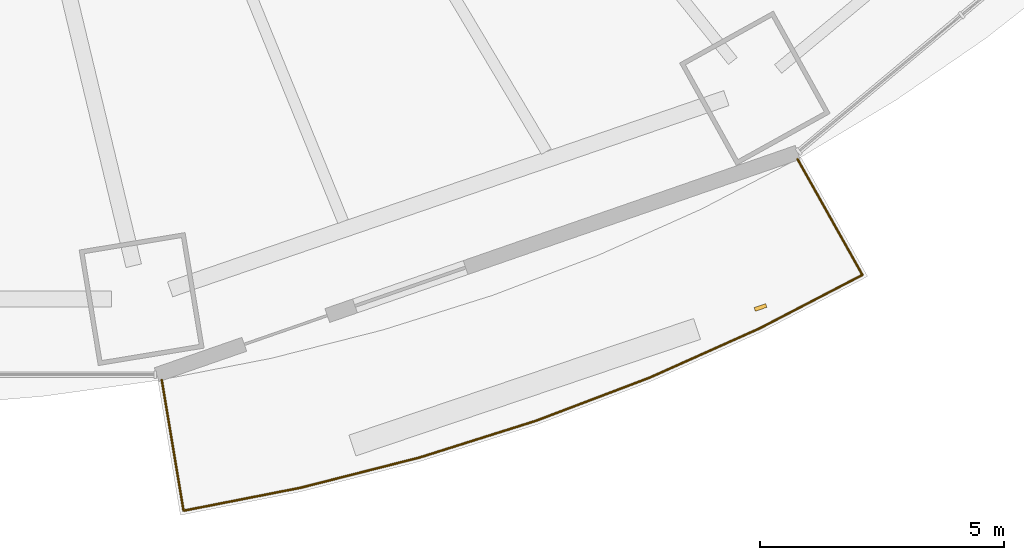
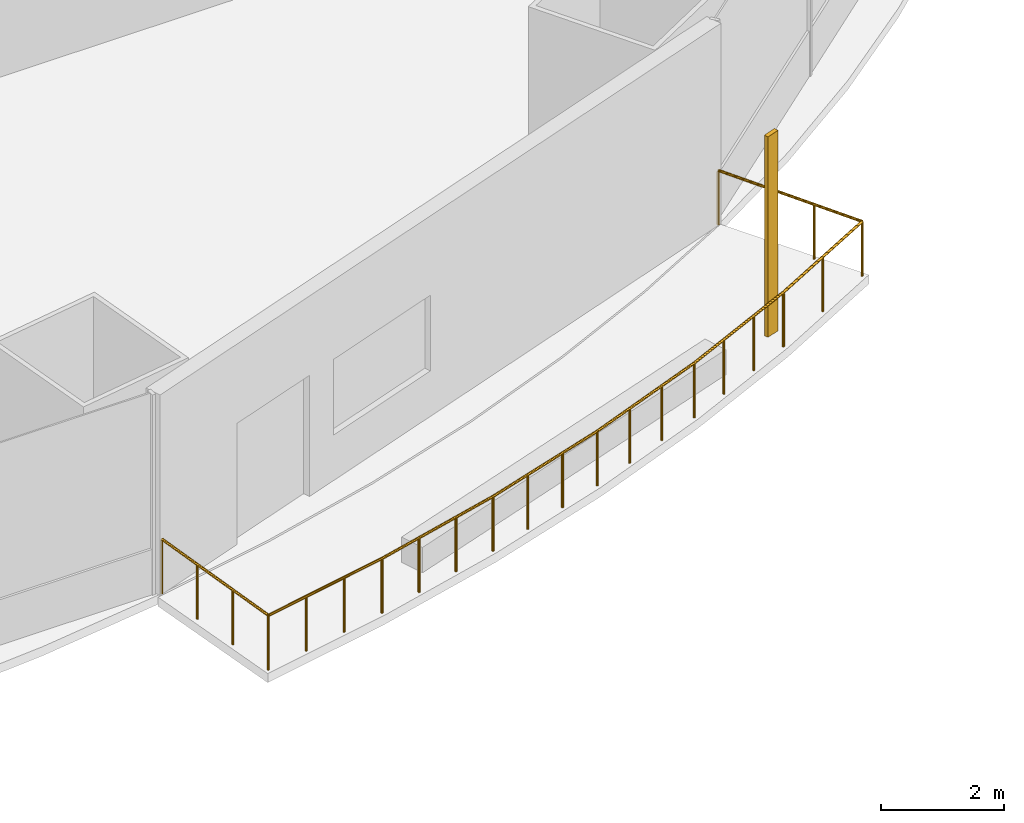
# One storey, part 19 of 23: 1 railing, 1 shading device.
"""IFC4 building model written with IfcOpenShell, lengths in metres."""

from ifc_helpers import new_model, si_unit, direction, frame, origin, origin_2d, place, context, subcontext, project, spatial, rectangle, circle, extrude, material, material_profile, profile_set, type_object, element, save


model = new_model("IFC4")

# Units and contexts
model_context = context("Model", 3, precision=1e-05, world=origin(), true_north=direction((0.0, 1.0)))
body_context = subcontext(model_context, "Body", "Model", "MODEL_VIEW")
ifc_project = project(units=[si_unit("LENGTHUNIT", "METRE"), si_unit("AREAUNIT", "SQUARE_METRE"), si_unit("VOLUMEUNIT", "CUBIC_METRE"), si_unit("PLANEANGLEUNIT", "RADIAN"), si_unit("MASSUNIT", "GRAM", prefix="KILO")], contexts=[model_context])

# Site, building, storey
site_placement = place(None, origin())
site = spatial("IfcSite", under=ifc_project, at=site_placement, CompositionType="ELEMENT")
building_placement = place(site_placement, origin())
building = spatial("IfcBuilding", under=site, at=building_placement, Name="Marenthal Gate Tower", CompositionType="ELEMENT")
storey_placement = place(building_placement, frame((0.0, 0.0, 53.75)))
storey = spatial("IfcBuildingStorey", under=building, at=storey_placement, Name="L09", CompositionType="ELEMENT", Elevation=53.75)

# Railing
ifc_material_1 = material(Name="Stainless steel", Category="steel")
railing_type = type_object("IfcRailingType", Name="Balcony guard 1100", PredefinedType="GUARDRAIL", material=ifc_material_1)
railing_placement = place(storey_placement, frame((20.24072265625, -25.51123046875, 0.0)))
element("IfcRailing", 1, at=railing_placement, inside=storey, type_object=railing_type, Name="Balcony guard L09 bay 13", PredefinedType="GUARDRAIL", context=body_context, shape_type="SweptSolid", body=[
    extrude(circle(Radius=0.02392578125, at=origin_2d()), frame((0.0, 0.0, 1.076171875), z_axis=(0.488779989422, -0.872282908041, -0.014719044852), x_axis=(0.872377413566, 0.488832945188, 0.0)), (0.0, 0.0, 1.0), 2.72021484375),
    extrude(circle(Radius=0.02392578125, at=origin_2d()), frame((1.32958984375, -2.372802734375, 1.0361328125), z_axis=(-0.887280789471, -0.461229661487, 0.0), x_axis=(0.461229661487, -0.887280789471, 0.0)), (0.0, 0.0, 1.0), 2.37353515625),
    extrude(circle(Radius=0.02392578125, at=origin_2d()), frame((-0.7763671875, -3.467529296875, 1.0361328125), z_axis=(-0.912605925031, -0.408840342429, 0.0), x_axis=(0.408840342429, -0.912605925031, 0.0)), (0.0, 0.0, 1.0), 2.4716796875),
    extrude(circle(Radius=0.02392578125, at=origin_2d()), frame((-3.031982421875, -4.47802734375, 1.0361328125), z_axis=(-0.934902124895, -0.354905645019, 0.0), x_axis=(0.354905645019, -0.934902124895, 0.0)), (0.0, 0.0, 1.0), 2.488037109375),
    extrude(circle(Radius=0.02392578125, at=origin_2d()), frame((-5.358154296875, -5.361083984375, 1.0361328125), z_axis=(-0.953671084495, -0.30085123001, 0.0), x_axis=(0.30085123001, -0.953671084495, 0.0)), (0.0, 0.0, 1.0), 2.502685546875),
    extrude(circle(Radius=0.02392578125, at=origin_2d()), frame((-7.744873046875, -6.114013671875, 1.0361328125), z_axis=(-0.969181494284, -0.246347784927, 0.0), x_axis=(0.246347784927, -0.969181494284, 0.0)), (0.0, 0.0, 1.0), 2.515380859375),
    extrude(circle(Radius=0.02392578125, at=origin_2d()), frame((-10.1826171875, -6.733642578125, 1.0361328125), z_axis=(-0.981261967917, -0.19267835976, 0.0), x_axis=(0.19267835976, -0.981261967917, 0.0)), (0.0, 0.0, 1.0), 2.445556640625),
    extrude(circle(Radius=0.02392578125, at=origin_2d()), frame((-12.582275390625, -7.204833984375, 1.0361328125), z_axis=(-0.164512163182, 0.986265227064, 0.014719036968), x_axis=(-0.986372081632, -0.164529986862, 0.0)), (0.0, 0.0, 1.0), 2.72021484375),
    extrude(circle(Radius=0.02099609375, at=origin_2d()), origin(), (0.0, 0.0, 1.0), 1.052001953125),
    extrude(circle(Radius=0.02099609375, at=origin_2d()), frame((0.443115234375, -0.791015625, -0.013427734375)), (0.0, 0.0, 1.0), 1.052001953125),
    extrude(circle(Radius=0.02099609375, at=origin_2d()), frame((0.886474609375, -1.581787109375, -0.026611328125)), (0.0, 0.0, 1.0), 1.052001953125),
    extrude(circle(Radius=0.02099609375, at=origin_2d()), frame((1.32958984375, -2.372802734375, -0.0400390625)), (0.0, 0.0, 1.0), 1.052001953125),
    extrude(circle(Radius=0.02099609375, at=origin_2d()), frame((0.276611328125, -2.920166015625, -0.0400390625)), (0.0, 0.0, 1.0), 1.052001953125),
    extrude(circle(Radius=0.02099609375, at=origin_2d()), frame((-0.7763671875, -3.467529296875, -0.0400390625)), (0.0, 0.0, 1.0), 1.052001953125),
    extrude(circle(Radius=0.02099609375, at=origin_2d()), frame((-1.5283203125, -3.804443359375, -0.0400390625)), (0.0, 0.0, 1.0), 1.052001953125),
    extrude(circle(Radius=0.02099609375, at=origin_2d()), frame((-2.280029296875, -4.14111328125, -0.0400390625)), (0.0, 0.0, 1.0), 1.052001953125),
    extrude(circle(Radius=0.02099609375, at=origin_2d()), frame((-3.031982421875, -4.47802734375, -0.0400390625)), (0.0, 0.0, 1.0), 1.052001953125),
    extrude(circle(Radius=0.02099609375, at=origin_2d()), frame((-3.807373046875, -4.7724609375, -0.0400390625)), (0.0, 0.0, 1.0), 1.052001953125),
    extrude(circle(Radius=0.02099609375, at=origin_2d()), frame((-4.582763671875, -5.066650390625, -0.0400390625)), (0.0, 0.0, 1.0), 1.052001953125),
    extrude(circle(Radius=0.02099609375, at=origin_2d()), frame((-5.358154296875, -5.361083984375, -0.0400390625)), (0.0, 0.0, 1.0), 1.052001953125),
    extrude(circle(Radius=0.02099609375, at=origin_2d()), frame((-6.15380859375, -5.612060546875, -0.0400390625)), (0.0, 0.0, 1.0), 1.052001953125),
    extrude(circle(Radius=0.02099609375, at=origin_2d()), frame((-6.94921875, -5.863037109375, -0.0400390625)), (0.0, 0.0, 1.0), 1.052001953125),
    extrude(circle(Radius=0.02099609375, at=origin_2d()), frame((-7.744873046875, -6.114013671875, -0.0400390625)), (0.0, 0.0, 1.0), 1.052001953125),
    extrude(circle(Radius=0.02099609375, at=origin_2d()), frame((-8.557373046875, -6.320556640625, -0.0400390625)), (0.0, 0.0, 1.0), 1.052001953125),
    extrude(circle(Radius=0.02099609375, at=origin_2d()), frame((-9.3701171875, -6.527099609375, -0.0400390625)), (0.0, 0.0, 1.0), 1.052001953125),
    extrude(circle(Radius=0.02099609375, at=origin_2d()), frame((-10.1826171875, -6.733642578125, -0.0400390625)), (0.0, 0.0, 1.0), 1.052001953125),
    extrude(circle(Radius=0.02099609375, at=origin_2d()), frame((-10.982421875, -6.890625, -0.0400390625)), (0.0, 0.0, 1.0), 1.052001953125),
    extrude(circle(Radius=0.02099609375, at=origin_2d()), frame((-11.782470703125, -7.0478515625, -0.0400390625)), (0.0, 0.0, 1.0), 1.052001953125),
    extrude(circle(Radius=0.02099609375, at=origin_2d()), frame((-12.582275390625, -7.204833984375, -0.0400390625)), (0.0, 0.0, 1.0), 1.052001953125),
    extrude(circle(Radius=0.02099609375, at=origin_2d()), frame((-12.7314453125, -6.310546875, -0.026611328125)), (0.0, 0.0, 1.0), 1.052001953125),
    extrude(circle(Radius=0.02099609375, at=origin_2d()), frame((-12.880615234375, -5.416259765625, -0.013427734375)), (0.0, 0.0, 1.0), 1.052001953125),
    extrude(circle(Radius=0.02099609375, at=origin_2d()), frame((-13.02978515625, -4.52197265625, 0.0)), (0.0, 0.0, 1.0), 1.052001953125),
])

# Shading device
ifc_material_2 = material(Name="Terracotta", Category="masonry")
ifc_material_profile = material_profile(ifc_material_2, rectangle(XDim=0.25, YDim=0.080078125, at=origin_2d()), Name="Terracotta baguette 250x80")
ifc_profile_set = profile_set([ifc_material_profile], Name="Terracotta")
shading_device_type = type_object("IfcShadingDeviceType", Name="Terracotta BAGUETTE SCREEN 250x80", PredefinedType="USERDEFINED", material=ifc_profile_set)
shading_device_placement = place(storey_placement, frame((19.481689453125, -28.55078125, -0.0400390625), z_axis=(0.0, 0.0, 1.0), x_axis=(0.944690686162, 0.327962661713, 0.0)))
element("IfcShadingDevice", 2, at=shading_device_placement, inside=storey, type_object=shading_device_type, Name="Terracotta BAGUETTE L09 bay 13R", ObjectType="BAGUETTE SCREEN", PredefinedType="USERDEFINED", context=body_context, shape_type="SweptSolid", body=[
    extrude(rectangle(XDim=0.25, YDim=0.080078125, at=origin_2d()), origin(), (0.0, 0.0, 1.0), 3.969970703125),
])

save(model, "model.ifc")
